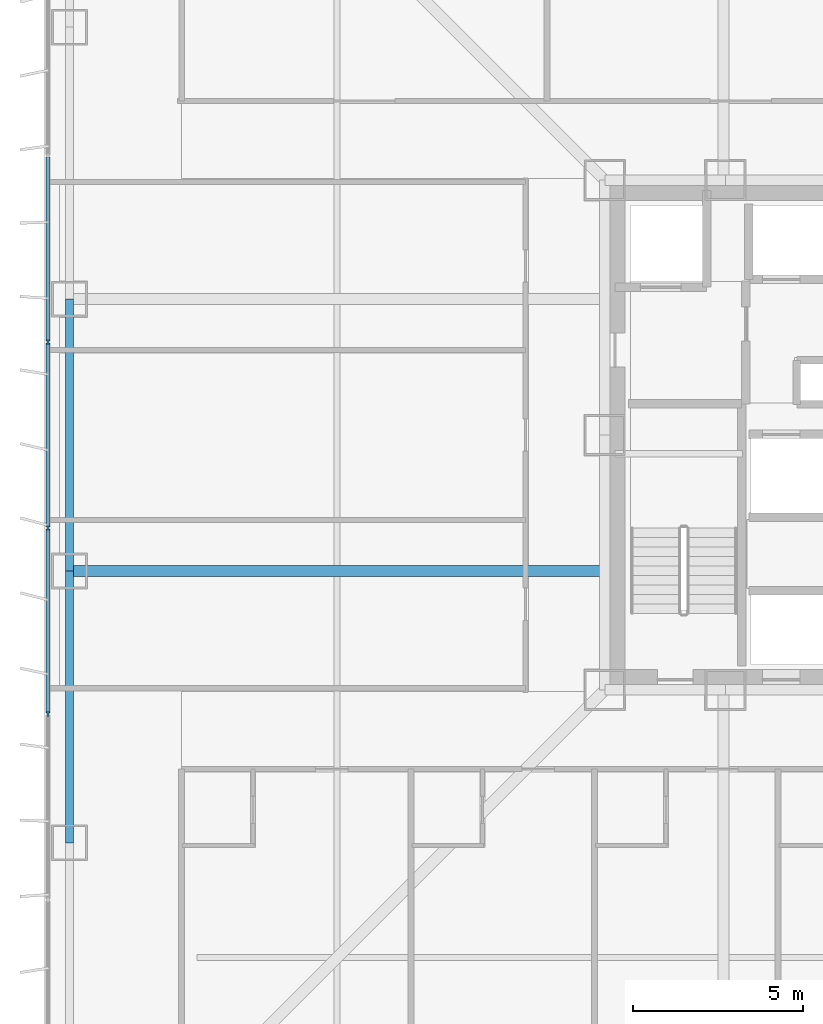
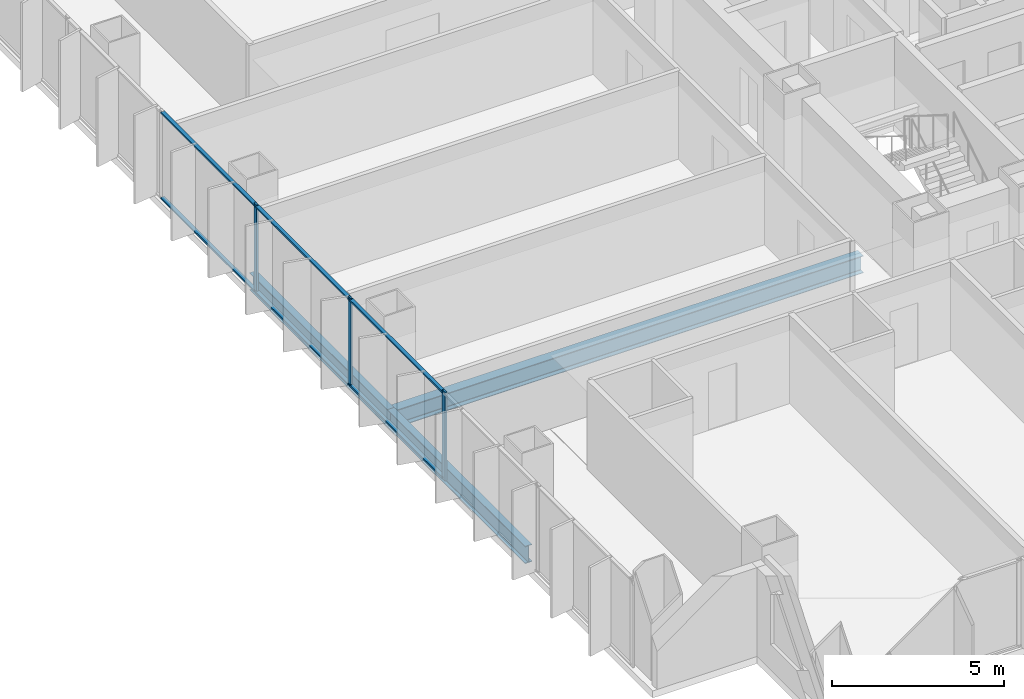
# One storey, part 4 of 19: 9 members, 3 beams, 1 element without a shape of its own.
"""IFC4 building model written with IfcOpenShell, lengths in metres."""

from ifc_helpers import new_model, si_unit, direction, frame, origin, origin_2d, place, context, subcontext, project, spatial, rectangle, i_section, extrude, material, layer, layer_set, material_profile, profile_set, type_object, element, aggregate, save


model = new_model("IFC4")

# Units and contexts
model_context = context("Model", 3, precision=1e-05, world=origin(), true_north=direction((0.0, 1.0)))
body_context = subcontext(model_context, "Body", "Model", "MODEL_VIEW")
ifc_project = project(units=[si_unit("LENGTHUNIT", "METRE"), si_unit("AREAUNIT", "SQUARE_METRE"), si_unit("VOLUMEUNIT", "CUBIC_METRE"), si_unit("PLANEANGLEUNIT", "RADIAN"), si_unit("MASSUNIT", "GRAM", prefix="KILO")], contexts=[model_context])

# Site, building, storey
site_placement = place(None, origin())
site = spatial("IfcSite", under=ifc_project, at=site_placement, CompositionType="ELEMENT")
building_placement = place(site_placement, origin())
building = spatial("IfcBuilding", under=site, at=building_placement, Name="Trevonay Congress Spire", CompositionType="ELEMENT")
storey_placement = place(building_placement, frame((0.0, 0.0, 79.5)))
storey = spatial("IfcBuildingStorey", under=building, at=storey_placement, Name="L20", CompositionType="ELEMENT", Elevation=79.5)

# Beams
ifc_material_1 = material(Name="Steel ASTM A572 Grade 50", Category="steel")
ifc_material_profile_1 = material_profile(ifc_material_1, i_section(OverallWidth=0.324951171875, OverallDepth=0.615966796875, WebThickness=0.013916015625, FlangeThickness=0.021484375, FilletRadius=0.01806640625, at=origin_2d()), Name="W610x174")
ifc_profile_set_1 = profile_set([ifc_material_profile_1], Name="Steel ASTM A572 Grade 50")
beam_type_1 = type_object("IfcBeamType", Name="BM-GIRD-W610X174", PredefinedType="BEAM", material=ifc_profile_set_1)
beam_placement = place(storey_placement, frame((-7.5, -4.0, -0.55810546875), z_axis=(-1.0, 0.0, 0.0), x_axis=(0.0, -1.0, 0.0)))
element("IfcBeam", 1, at=beam_placement, inside=storey, type_object=beam_type_1, Name="L20 structural beam BM-L20-GW-M", PredefinedType="BEAM", context=body_context, shape_type="SweptSolid", body=[
    extrude(i_section(OverallWidth=0.324951171875, OverallDepth=0.615966796875, WebThickness=0.013916015625, FlangeThickness=0.021484375, FilletRadius=0.01806640625, at=origin_2d()), origin(), (0.0, 0.0, 1.0), 15.75),
])
ifc_material_profile_2 = material_profile(ifc_material_1, i_section(OverallWidth=0.22998046875, OverallDepth=0.616943359375, WebThickness=0.01318359375, FlangeThickness=0.022216796875, FilletRadius=0.01611328125, at=origin_2d()), Name="W610x140")
ifc_profile_set_2 = profile_set([ifc_material_profile_2], Name="Steel ASTM A572 Grade 50")
beam_type_2 = type_object("IfcBeamType", Name="BM-RING-W610X140", PredefinedType="BEAM", material=ifc_profile_set_2)
for number, where, z_axis, x_axis, name in (
    (2, (-23.25, -12.0, -0.55859375), (0.0, 1.0, 0.0), (-1.0, 0.0, 0.0), "L20 structural beam BM-L20-PW2"),
    (3, (-23.25, -4.0, -0.55859375), (0.0, 1.0, 0.0), (-1.0, 0.0, 0.0), "L20 structural beam BM-L20-PW3"),
):
    element("IfcBeam", number, at=place(storey_placement, frame(where, z_axis=z_axis, x_axis=x_axis)), inside=storey, type_object=beam_type_2, Name=name, PredefinedType="BEAM", context=body_context, shape_type="SweptSolid", body=[
        extrude(i_section(OverallWidth=0.22998046875, OverallDepth=0.616943359375, WebThickness=0.01318359375, FlangeThickness=0.022216796875, FilletRadius=0.01611328125, at=origin_2d()), origin(), (0.0, 0.0, 1.0), 8.0),
    ])

# Curtain wall, members
ifc_material_2 = material(Name="Pale Anodised Aluminium EN AW-6063-T6", Category="aluminium")
ifc_layer = layer(ifc_material_2, 0.179931640625, Name="Pale Anodised Aluminium EN AW-6063-T6")
ifc_layer_set = layer_set([ifc_layer], Name="Pale Anodised Aluminium EN AW-6063-T6")
curtain_wall_type = type_object("IfcCurtainWallType", Name="CW-SYS02-HOTEL-PALE-METAL", PredefinedType="NOTDEFINED", material=ifc_layer_set)
curtain_wall_placement = place(storey_placement, origin())
curtain_wall = element("IfcCurtainWall", 4, at=curtain_wall_placement, inside=storey, type_object=curtain_wall_type, Name="L20 W unitised curtain wall", PredefinedType="NOTDEFINED")
ifc_material_profile_3 = material_profile(ifc_material_2, rectangle(XDim=0.06005859375, YDim=0.159912109375, at=origin_2d()), Name="CW-MULLION-160-ALUMINIUM")
ifc_profile_set_3 = profile_set([ifc_material_profile_3], Name="Pale Anodised Aluminium EN AW-6063-T6")
member_type_1 = type_object("IfcMemberType", Name="CW-MULLION-160-ALUMINIUM", PredefinedType="MULLION", material=ifc_profile_set_3)
member_1_placement = place(storey_placement, frame((-23.8798828125, -8.20703125, 0.0), z_axis=(0.0, 0.0, 1.0), x_axis=(-1.0, 0.0, 0.0)))
member_1 = element("IfcMember", 5, at=member_1_placement, type_object=member_type_1, Name="CW02 mullion 3", PredefinedType="MULLION", context=body_context, shape_type="SweptSolid", body=[
    extrude(rectangle(XDim=0.06005859375, YDim=0.159912109375, at=origin_2d()), origin(), (0.0, 0.0, 1.0), 3.14990234375),
])
member_2_placement = place(storey_placement, frame((-23.8798828125, -2.735595703125, 0.0), z_axis=(0.0, 0.0, 1.0), x_axis=(-1.0, 0.0, 0.0)))
member_2 = element("IfcMember", 6, at=member_2_placement, type_object=member_type_1, Name="CW02 mullion 4", PredefinedType="MULLION", context=body_context, shape_type="SweptSolid", body=[
    extrude(rectangle(XDim=0.06005859375, YDim=0.159912109375, at=origin_2d()), origin(), (0.0, 0.0, 1.0), 3.14990234375),
])
member_3_placement = place(storey_placement, frame((-23.8798828125, 2.735595703125, 0.0), z_axis=(0.0, 0.0, 1.0), x_axis=(-1.0, 0.0, 0.0)))
member_3 = element("IfcMember", 7, at=member_3_placement, type_object=member_type_1, Name="CW02 mullion 5", PredefinedType="MULLION", context=body_context, shape_type="SweptSolid", body=[
    extrude(rectangle(XDim=0.06005859375, YDim=0.159912109375, at=origin_2d()), origin(), (0.0, 0.0, 1.0), 3.14990234375),
])
ifc_material_profile_4 = material_profile(ifc_material_2, rectangle(XDim=0.1201171875, YDim=0.06005859375, at=origin_2d()), Name="CW-TRANSOM-120-ALUMINIUM")
ifc_profile_set_4 = profile_set([ifc_material_profile_4], Name="Pale Anodised Aluminium EN AW-6063-T6")
member_type_2 = type_object("IfcMemberType", Name="CW-TRANSOM-120-ALUMINIUM", PredefinedType="USERDEFINED", material=ifc_profile_set_4)
member_4_placement = place(storey_placement, frame((-23.8798828125, -8.17724609375, 0.06005859375), z_axis=(0.0, 1.0, 0.0), x_axis=(-1.0, 0.0, 0.0)))
member_4 = element("IfcMember", 8, at=member_4_placement, type_object=member_type_2, Name="CW02 transom 3.1", ObjectType="TRANSOM", PredefinedType="USERDEFINED", context=body_context, shape_type="SweptSolid", body=[
    extrude(rectangle(XDim=0.1201171875, YDim=0.06005859375, at=origin_2d()), origin(), (0.0, 0.0, 1.0), 5.41162109375),
])
member_5_placement = place(storey_placement, frame((-23.8798828125, -8.17724609375, 3.090087890625), z_axis=(0.0, 1.0, 0.0), x_axis=(-1.0, 0.0, 0.0)))
member_5 = element("IfcMember", 9, at=member_5_placement, type_object=member_type_2, Name="CW02 transom 3.2", ObjectType="TRANSOM", PredefinedType="USERDEFINED", context=body_context, shape_type="SweptSolid", body=[
    extrude(rectangle(XDim=0.1201171875, YDim=0.06005859375, at=origin_2d()), origin(), (0.0, 0.0, 1.0), 5.41162109375),
])
member_6_placement = place(storey_placement, frame((-23.8798828125, -2.705810546875, 0.06005859375), z_axis=(0.0, 1.0, 0.0), x_axis=(-1.0, 0.0, 0.0)))
member_6 = element("IfcMember", 10, at=member_6_placement, type_object=member_type_2, Name="CW02 transom 4.1", ObjectType="TRANSOM", PredefinedType="USERDEFINED", context=body_context, shape_type="SweptSolid", body=[
    extrude(rectangle(XDim=0.1201171875, YDim=0.06005859375, at=origin_2d()), origin(), (0.0, 0.0, 1.0), 5.41162109375),
])
member_7_placement = place(storey_placement, frame((-23.8798828125, -2.705810546875, 3.090087890625), z_axis=(0.0, 1.0, 0.0), x_axis=(-1.0, 0.0, 0.0)))
member_7 = element("IfcMember", 11, at=member_7_placement, type_object=member_type_2, Name="CW02 transom 4.2", ObjectType="TRANSOM", PredefinedType="USERDEFINED", context=body_context, shape_type="SweptSolid", body=[
    extrude(rectangle(XDim=0.1201171875, YDim=0.06005859375, at=origin_2d()), origin(), (0.0, 0.0, 1.0), 5.41162109375),
])
member_8_placement = place(storey_placement, frame((-23.8798828125, 2.765625, 0.06005859375), z_axis=(0.0, 1.0, 0.0), x_axis=(-1.0, 0.0, 0.0)))
member_8 = element("IfcMember", 12, at=member_8_placement, type_object=member_type_2, Name="CW02 transom 5.1", ObjectType="TRANSOM", PredefinedType="USERDEFINED", context=body_context, shape_type="SweptSolid", body=[
    extrude(rectangle(XDim=0.1201171875, YDim=0.06005859375, at=origin_2d()), origin(), (0.0, 0.0, 1.0), 5.41162109375),
])
member_9_placement = place(storey_placement, frame((-23.8798828125, 2.765625, 3.090087890625), z_axis=(0.0, 1.0, 0.0), x_axis=(-1.0, 0.0, 0.0)))
member_9 = element("IfcMember", 13, at=member_9_placement, type_object=member_type_2, Name="CW02 transom 5.2", ObjectType="TRANSOM", PredefinedType="USERDEFINED", context=body_context, shape_type="SweptSolid", body=[
    extrude(rectangle(XDim=0.1201171875, YDim=0.06005859375, at=origin_2d()), origin(), (0.0, 0.0, 1.0), 5.41162109375),
])
aggregate(curtain_wall, [member_1, member_2, member_3, member_4, member_5, member_6, member_7, member_8, member_9])

save(model, "model.ifc")
